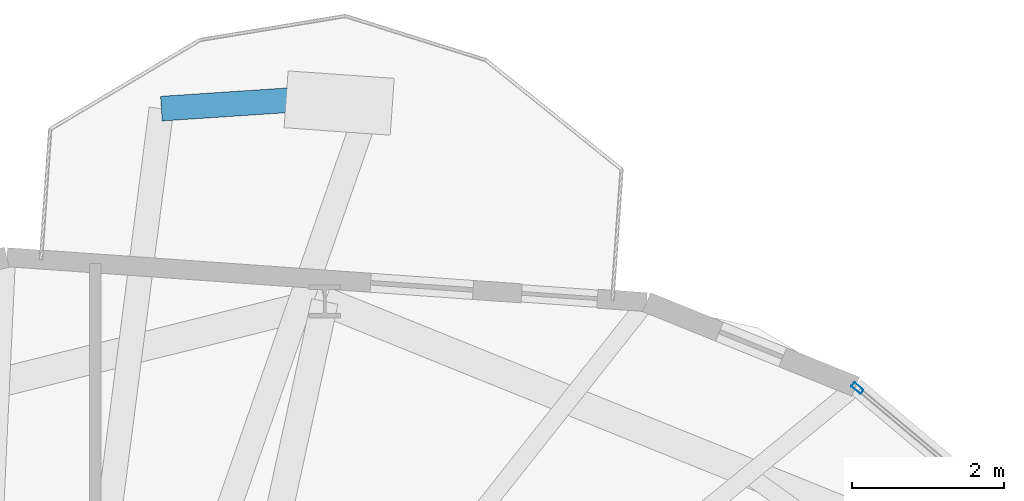
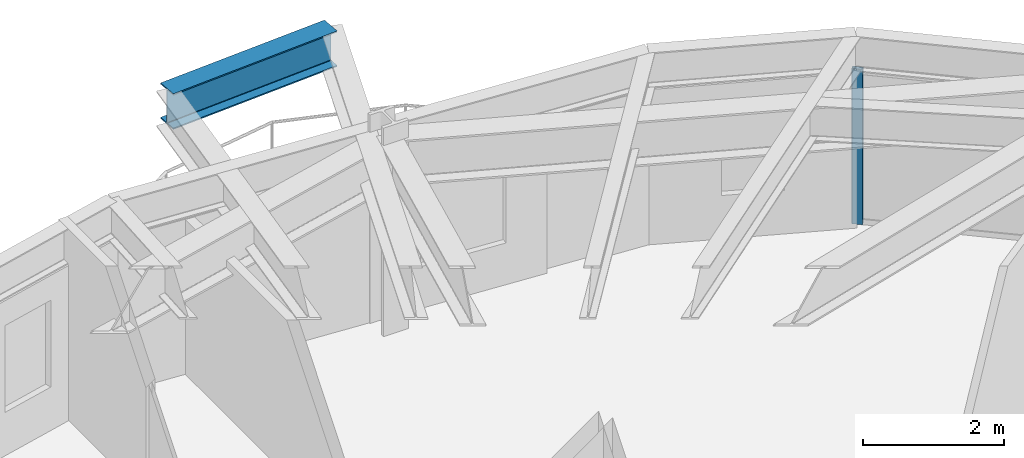
# One storey, part 14 of 22: 1 beam, 1 member, 1 element without a shape of its own.
"""IFC4 building model written with IfcOpenShell, lengths in metres."""

from ifc_helpers import new_model, si_unit, direction, frame, origin, origin_2d, place, context, subcontext, project, spatial, hollow_rectangle, i_section, extrude, material, layer, layer_set, material_profile, profile_set, type_object, element, aggregate, save


model = new_model("IFC4")

# Units and contexts
model_context = context("Model", 3, precision=1e-05, world=origin(), true_north=direction((0.0, 1.0)))
body_context = subcontext(model_context, "Body", "Model", "MODEL_VIEW")
ifc_project = project(units=[si_unit("LENGTHUNIT", "METRE"), si_unit("AREAUNIT", "SQUARE_METRE"), si_unit("VOLUMEUNIT", "CUBIC_METRE"), si_unit("PLANEANGLEUNIT", "RADIAN"), si_unit("MASSUNIT", "GRAM", prefix="KILO")], contexts=[model_context])

# Site, building, storey
site_placement = place(None, origin())
site = spatial("IfcSite", under=ifc_project, at=site_placement, CompositionType="ELEMENT")
building_placement = place(site_placement, origin())
building = spatial("IfcBuilding", under=site, at=building_placement, Name="Soratama Intermodal Tower", CompositionType="ELEMENT")
storey_placement = place(building_placement, frame((0.0, 0.0, 157.0)))
storey = spatial("IfcBuildingStorey", under=building, at=storey_placement, Name="L38", CompositionType="ELEMENT", Elevation=157.0)

# Beam
ifc_material_1 = material(Name="Structural steel ASTM A992 Grade 50", Category="steel")
ifc_material_profile_1 = material_profile(ifc_material_1, i_section(OverallWidth=0.324951171875, OverallDepth=0.615966796875, WebThickness=0.013916015625, FlangeThickness=0.021484375, FilletRadius=0.013916015625, at=origin_2d()), Name="W24X117")
ifc_profile_set_1 = profile_set([ifc_material_profile_1], Name="Structural steel ASTM A992 Grade 50")
beam_type = type_object("IfcBeamType", Name="BM-CANT-W24X117", PredefinedType="BEAM", material=ifc_profile_set_1)
beam_placement = place(storey_placement, frame((46.85498046875, 45.179931640625, 2.991943359375), z_axis=(-0.997803703752, -0.066240235354, 0.0), x_axis=(0.066240235354, -0.997803703752, 0.0)))
element("IfcBeam", 1, at=beam_placement, inside=storey, type_object=beam_type, Name="BM-L38-CBHDR-1", PredefinedType="BEAM", context=body_context, shape_type="SweptSolid", body=[
    extrude(i_section(OverallWidth=0.324951171875, OverallDepth=0.615966796875, WebThickness=0.013916015625, FlangeThickness=0.021484375, FilletRadius=0.013916015625, at=origin_2d()), origin(), (0.0, 0.0, 1.0), 2.7900390625),
])

# Curtain wall, member
ifc_material_2 = material(Name="Double-glazed aluminium curtain wall", Category="aluminium")
ifc_layer = layer(ifc_material_2, 0.159912109375)
ifc_layer_set = layer_set([ifc_layer], Name="Double-glazed aluminium curtain wall")
curtain_wall_type = type_object("IfcCurtainWallType", Name="CW-SYS-4", PredefinedType="NOTDEFINED", material=ifc_layer_set)
curtain_wall_placement = place(storey_placement, origin())
curtain_wall = element("IfcCurtainWall", 2, at=curtain_wall_placement, inside=storey, type_object=curtain_wall_type, Name="L38 Faceted Curtain Wall F01", PredefinedType="NOTDEFINED")
ifc_material_3 = material(Name="Anodised aluminium AA 6063-T6", Category="aluminium")
ifc_material_profile_2 = material_profile(ifc_material_3, hollow_rectangle(XDim=0.070068359375, YDim=0.159912109375, WallThickness=0.0048828125, InnerFilletRadius=0.0048828125, OuterFilletRadius=0.010009765625, at=origin_2d()), Name="CWM160X70X5")
ifc_profile_set_2 = profile_set([ifc_material_profile_2], Name="Anodised aluminium AA 6063-T6")
member_type = type_object("IfcMemberType", Name="MT-CWM-4", PredefinedType="MULLION", material=ifc_profile_set_2)
member_placement = place(storey_placement, frame((53.22998046875, 41.3173828125, 0.0), z_axis=(0.0, 0.0, 1.0), x_axis=(-0.643054816752, -0.76582015033, 0.0)))
member = element("IfcMember", 3, at=member_placement, type_object=member_type, Name="CW-4 mullion 2", PredefinedType="MULLION", context=body_context, shape_type="SweptSolid", body=[
    extrude(hollow_rectangle(XDim=0.070068359375, YDim=0.159912109375, WallThickness=0.0048828125, InnerFilletRadius=0.0048828125, OuterFilletRadius=0.010009765625, at=origin_2d()), origin(), (0.0, 0.0, 1.0), 2.678955078125),
])
aggregate(curtain_wall, [member])

save(model, "model.ifc")
